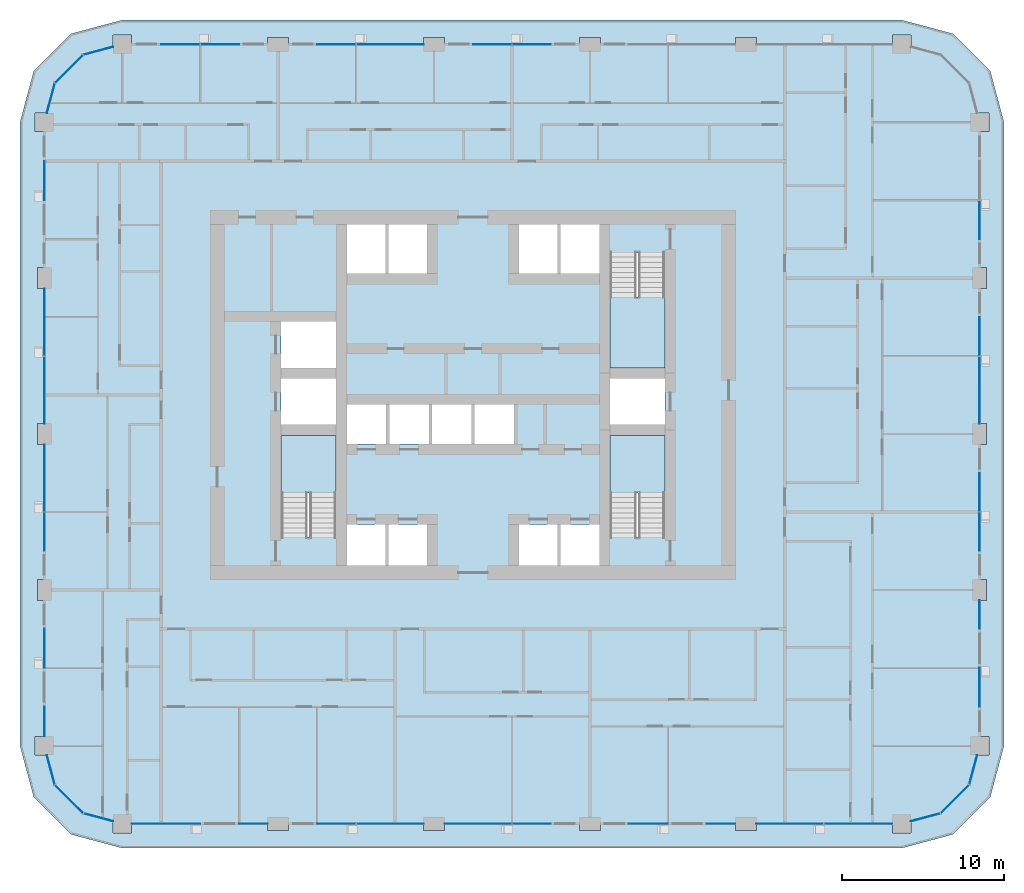
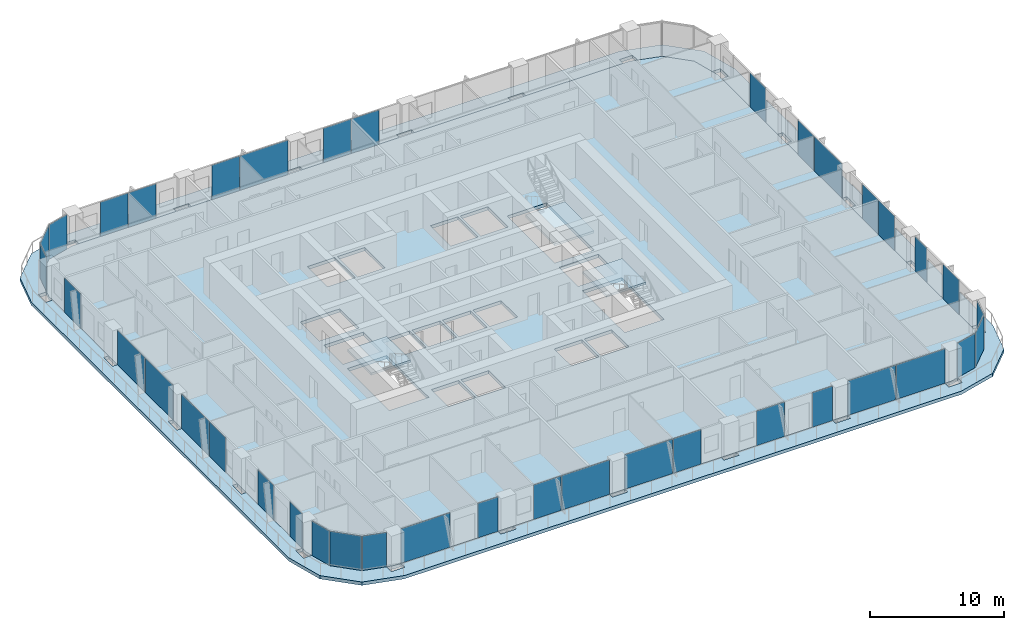
# One storey, part 7 of 22: 39 plates, 5 slabs, 22 elements without a shape of their own.
"""IFC4 building model written with IfcOpenShell, lengths in metres."""

from ifc_helpers import new_model, si_unit, direction, frame, origin, origin_2d, place, context, subcontext, project, spatial, polyline, rectangle, outline, extrude, material, layer, layer_set, type_object, element, aggregate, save


model = new_model("IFC4")

# Units and contexts
model_context = context("Model", 3, precision=1e-05, world=origin(), true_north=direction((0.0, 1.0)))
body_context = subcontext(model_context, "Body", "Model", "MODEL_VIEW")
ifc_project = project(units=[si_unit("LENGTHUNIT", "METRE"), si_unit("AREAUNIT", "SQUARE_METRE"), si_unit("VOLUMEUNIT", "CUBIC_METRE"), si_unit("PLANEANGLEUNIT", "RADIAN"), si_unit("MASSUNIT", "GRAM", prefix="KILO")], contexts=[model_context])

# Site, building, storey
site_placement = place(None, origin())
site = spatial("IfcSite", under=ifc_project, at=site_placement, CompositionType="ELEMENT")
building_placement = place(site_placement, origin())
building = spatial("IfcBuilding", under=site, at=building_placement, Name="Madar Terraces", CompositionType="ELEMENT")
storey_placement = place(building_placement, frame((0.0, 0.0, 76.800048828125)))
storey = spatial("IfcBuildingStorey", under=building, at=storey_placement, Name="L19", CompositionType="ELEMENT", Elevation=76.800048828125)

# Slabs
ifc_material_1 = material(Name="Concrete C50/60", Category="concrete")
ifc_layer_1 = layer(ifc_material_1, 0.300048828125)
ifc_layer_set_1 = layer_set([ifc_layer_1], Name="Balcony band 300")
slab_type_1 = type_object("IfcSlabType", Name="Balcony band 300", PredefinedType="FLOOR", material=ifc_layer_set_1)
slab_1_placement = place(storey_placement, frame((0.0, 0.0, -0.300048828125)))
element("IfcSlab", 1, at=slab_1_placement, inside=storey, type_object=slab_type_1, Name="Balcony band", PredefinedType="FLOOR", context=body_context, shape_type="SweptSolid", body=[
    extrude(outline(polyline([(9.60009765625, -1.5), (6.449951171875, -0.656005859375), (4.14404296875, 1.64990234375), (3.300048828125, 4.800048828125), (3.300048828125, 43.199951171875), (4.14404296875, 46.35009765625), (6.449951171875, 48.656005859375), (9.60009765625, 49.5), (57.60009765625, 49.5), (60.75, 48.656005859375), (63.055908203125, 46.35009765625), (63.89990234375, 43.199951171875), (63.89990234375, 4.800048828125), (63.055908203125, 1.64990234375), (60.75, -0.656005859375), (57.60009765625, -1.5), (9.60009765625, -1.5)]), holes=[polyline([(10.175048828125, -0.574951171875), (10.175048828125, 0.0), (18.550048828125, 0.0), (18.550048828125, -0.425048828125), (19.85009765625, -0.425048828125), (19.85009765625, 0.0), (28.14990234375, 0.0), (28.14990234375, -0.425048828125), (29.449951171875, -0.425048828125), (29.449951171875, 0.0), (37.75, 0.0), (37.75, -0.425048828125), (39.050048828125, -0.425048828125), (39.050048828125, 0.0), (47.35009765625, 0.0), (47.35009765625, -0.425048828125), (48.64990234375, -0.425048828125), (48.64990234375, 0.0), (57.02490234375, 0.0), (57.02490234375, -0.574951171875), (58.175048828125, -0.574951171875), (58.175048828125, 0.154052734375), (60.0, 0.64306640625), (61.7568359375, 2.39990234375), (62.245849609375, 4.22509765625), (62.97509765625, 4.22509765625), (62.97509765625, 5.375), (62.39990234375, 5.375), (62.39990234375, 13.75), (62.824951171875, 13.75), (62.824951171875, 15.050048828125), (62.39990234375, 15.050048828125), (62.39990234375, 23.35009765625), (62.824951171875, 23.35009765625), (62.824951171875, 24.64990234375), (62.39990234375, 24.64990234375), (62.39990234375, 32.949951171875), (62.824951171875, 32.949951171875), (62.824951171875, 34.25), (62.39990234375, 34.25), (62.39990234375, 42.625), (62.97509765625, 42.625), (62.97509765625, 43.77490234375), (62.245849609375, 43.77490234375), (61.7568359375, 45.60009765625), (60.0, 47.35693359375), (58.175048828125, 47.845947265625), (58.175048828125, 48.574951171875), (57.02490234375, 48.574951171875), (57.02490234375, 48.0), (48.64990234375, 48.0), (48.64990234375, 48.425048828125), (47.35009765625, 48.425048828125), (47.35009765625, 48.0), (39.050048828125, 48.0), (39.050048828125, 48.425048828125), (37.75, 48.425048828125), (37.75, 48.0), (29.449951171875, 48.0), (29.449951171875, 48.425048828125), (28.14990234375, 48.425048828125), (28.14990234375, 48.0), (19.85009765625, 48.0), (19.85009765625, 48.425048828125), (18.550048828125, 48.425048828125), (18.550048828125, 48.0), (10.175048828125, 48.0), (10.175048828125, 48.574951171875), (9.02490234375, 48.574951171875), (9.02490234375, 47.845947265625), (7.199951171875, 47.35693359375), (5.443115234375, 45.60009765625), (4.9541015625, 43.77490234375), (4.22509765625, 43.77490234375), (4.22509765625, 42.625), (4.800048828125, 42.625), (4.800048828125, 34.25), (4.375, 34.25), (4.375, 32.949951171875), (4.800048828125, 32.949951171875), (4.800048828125, 24.64990234375), (4.375, 24.64990234375), (4.375, 23.35009765625), (4.800048828125, 23.35009765625), (4.800048828125, 15.050048828125), (4.375, 15.050048828125), (4.375, 13.75), (4.800048828125, 13.75), (4.800048828125, 5.375), (4.22509765625, 5.375), (4.22509765625, 4.22509765625), (4.9541015625, 4.22509765625), (5.443115234375, 2.39990234375), (7.199951171875, 0.64306640625), (9.02490234375, 0.154052734375), (9.02490234375, -0.574951171875), (10.175048828125, -0.574951171875)])]), origin(), (0.0, 0.0, 1.0), 0.300048828125),
])
ifc_material_2 = material(Name="Concrete C50/60", Category="concrete")
ifc_layer_2 = layer(ifc_material_2, 0.300048828125)
ifc_layer_set_2 = layer_set([ifc_layer_2], Name="FS2 PT flat slab 300")
slab_type_2 = type_object("IfcSlabType", Name="FS2 PT flat slab 300", PredefinedType="FLOOR", material=ifc_layer_set_2)
slab_2_placement = place(storey_placement, frame((0.0, 0.0, -0.300048828125)))
element("IfcSlab", 2, at=slab_2_placement, inside=storey, type_object=slab_type_2, Name="Floor slab L19 (1)", PredefinedType="FLOOR", context=body_context, shape_type="SweptSolid", body=[
    extrude(outline(polyline([(57.60009765625, 0.0), (60.0, 0.64306640625), (61.7568359375, 2.39990234375), (62.39990234375, 4.800048828125), (62.39990234375, 43.199951171875), (61.7568359375, 45.60009765625), (60.0, 47.35693359375), (57.60009765625, 48.0), (9.60009765625, 48.0), (7.199951171875, 47.35693359375), (5.443115234375, 45.60009765625), (4.800048828125, 43.199951171875), (4.800048828125, 4.800048828125), (5.443115234375, 2.39990234375), (7.199951171875, 0.64306640625), (9.60009765625, 0.0), (57.60009765625, 0.0)]), holes=[polyline([(23.425048828125, 15.89990234375), (23.425048828125, 18.425048828125), (25.800048828125, 18.425048828125), (25.800048828125, 15.89990234375), (23.425048828125, 15.89990234375)]), polyline([(26.0, 15.89990234375), (26.0, 18.425048828125), (28.375, 18.425048828125), (28.375, 15.89990234375), (26.0, 15.89990234375)]), polyline([(19.375, 17.64990234375), (19.375, 23.925048828125), (22.77490234375, 23.925048828125), (22.77490234375, 17.64990234375), (19.375, 17.64990234375)]), polyline([(23.425048828125, 23.375), (23.425048828125, 25.824951171875), (25.85009765625, 25.824951171875), (25.85009765625, 23.375), (23.425048828125, 23.375)]), polyline([(26.050048828125, 23.375), (26.050048828125, 25.824951171875), (28.47509765625, 25.824951171875), (28.47509765625, 23.375), (26.050048828125, 23.375)]), polyline([(19.375, 24.574951171875), (19.375, 27.425048828125), (22.77490234375, 27.425048828125), (22.77490234375, 24.574951171875), (19.375, 24.574951171875)]), polyline([(19.375, 28.074951171875), (19.375, 30.925048828125), (22.77490234375, 30.925048828125), (22.77490234375, 28.074951171875), (19.375, 28.074951171875)]), polyline([(23.425048828125, 36.89990234375), (25.800048828125, 36.89990234375), (25.800048828125, 33.875), (23.425048828125, 33.875), (23.425048828125, 36.89990234375)]), polyline([(26.0, 36.89990234375), (28.375, 36.89990234375), (28.375, 33.875), (26.0, 33.875), (26.0, 36.89990234375)]), polyline([(34.02490234375, 15.89990234375), (34.02490234375, 18.425048828125), (36.39990234375, 18.425048828125), (36.39990234375, 15.89990234375), (34.02490234375, 15.89990234375)]), polyline([(36.60009765625, 15.89990234375), (36.60009765625, 18.425048828125), (38.97509765625, 18.425048828125), (38.97509765625, 15.89990234375), (36.60009765625, 15.89990234375)]), polyline([(39.625, 17.64990234375), (39.625, 23.925048828125), (43.02490234375, 23.925048828125), (43.02490234375, 17.64990234375), (39.625, 17.64990234375)]), polyline([(28.675048828125, 23.375), (28.675048828125, 25.824951171875), (31.10009765625, 25.824951171875), (31.10009765625, 23.375), (28.675048828125, 23.375)]), polyline([(31.300048828125, 23.375), (31.300048828125, 25.824951171875), (33.72509765625, 25.824951171875), (33.72509765625, 23.375), (31.300048828125, 23.375)]), polyline([(39.625, 24.574951171875), (39.625, 27.425048828125), (43.02490234375, 27.425048828125), (43.02490234375, 24.574951171875), (39.625, 24.574951171875)]), polyline([(39.625, 28.074951171875), (39.625, 35.14990234375), (43.02490234375, 35.14990234375), (43.02490234375, 28.074951171875), (39.625, 28.074951171875)]), polyline([(34.02490234375, 36.89990234375), (36.39990234375, 36.89990234375), (36.39990234375, 33.875), (34.02490234375, 33.875), (34.02490234375, 36.89990234375)]), polyline([(36.60009765625, 36.89990234375), (38.97509765625, 36.89990234375), (38.97509765625, 33.875), (36.60009765625, 33.875), (36.60009765625, 36.89990234375)])]), origin(), (0.0, 0.0, 1.0), 0.300048828125),
])

# Curtain wall, plates
ifc_material_3 = material(Name="Glass, ceramic frit dark grey, with black aluminium frame", Category="aluminium")
ifc_layer_3 = layer(ifc_material_3, 0.199951171875)
ifc_layer_set_3 = layer_set([ifc_layer_3], Name="Facade curtain wall, fritted glass")
curtain_wall_type = type_object("IfcCurtainWallType", Name="Facade curtain wall, fritted glass", PredefinedType="NOTDEFINED", material=ifc_layer_set_3)
curtain_wall_1_placement = place(storey_placement, origin())
curtain_wall_1 = element("IfcCurtainWall", 3, at=curtain_wall_1_placement, inside=storey, type_object=curtain_wall_type, Name="Outer skin curtain wall south bay 1", PredefinedType="NOTDEFINED")
ifc_material_4 = material(Name="Glass, ceramic frit dark grey", Category="glass")
ifc_layer_4 = layer(ifc_material_4, 0.028076171875)
ifc_layer_set_4 = layer_set([ifc_layer_4], Name="Facade glass panel 28")
plate_type = type_object("IfcPlateType", Name="Facade glass panel 28", PredefinedType="CURTAIN_PANEL", material=ifc_layer_set_4)
plate_1_placement = place(storey_placement, frame((12.28759765625, 0.0, 0.0), z_axis=(0.0, 0.0, 1.0), x_axis=(1.0, 0.0, 0.0)))
plate_1 = element("IfcPlate", 4, at=plate_1_placement, type_object=plate_type, Name="Panel 1", PredefinedType="CURTAIN_PANEL", context=body_context, shape_type="SweptSolid", body=[
    extrude(rectangle(XDim=4.22509765625, YDim=0.028076171875, at=origin_2d()), origin(), (0.0, 0.0, 1.0), 3.139892578125),
])
plate_2_placement = place(storey_placement, frame((17.675048828125, 0.0, 0.0), z_axis=(0.0, 0.0, 1.0), x_axis=(1.0, 0.0, 0.0)))
plate_2 = element("IfcPlate", 5, at=plate_2_placement, type_object=plate_type, Name="Panel 2", PredefinedType="CURTAIN_PANEL", context=body_context, shape_type="SweptSolid", body=[
    extrude(rectangle(XDim=1.75, YDim=0.028076171875, at=origin_2d()), origin(), (0.0, 0.0, 1.0), 3.139892578125),
])
aggregate(curtain_wall_1, [plate_1, plate_2])

curtain_wall_2_placement = place(storey_placement, origin())
curtain_wall_2 = element("IfcCurtainWall", 6, at=curtain_wall_2_placement, inside=storey, type_object=curtain_wall_type, Name="Outer skin curtain wall south bay 2", PredefinedType="NOTDEFINED")
plate_3_placement = place(storey_placement, frame((22.784912109375, 0.0, 0.0), z_axis=(0.0, 0.0, 1.0), x_axis=(1.0, 0.0, 0.0)))
plate_3 = element("IfcPlate", 7, at=plate_3_placement, type_object=plate_type, Name="Panel 1", PredefinedType="CURTAIN_PANEL", context=body_context, shape_type="SweptSolid", body=[
    extrude(rectangle(XDim=2.3701171875, YDim=0.028076171875, at=origin_2d()), origin(), (0.0, 0.0, 1.0), 3.139892578125),
])
plate_4_placement = place(storey_placement, frame((26.090087890625, 0.0, 0.0), z_axis=(0.0, 0.0, 1.0), x_axis=(1.0, 0.0, 0.0)))
plate_4 = element("IfcPlate", 8, at=plate_4_placement, type_object=plate_type, Name="Panel 2", PredefinedType="CURTAIN_PANEL", context=body_context, shape_type="SweptSolid", body=[
    extrude(rectangle(XDim=4.1201171875, YDim=0.028076171875, at=origin_2d()), origin(), (0.0, 0.0, 1.0), 3.139892578125),
])
aggregate(curtain_wall_2, [plate_3, plate_4])

curtain_wall_3_placement = place(storey_placement, origin())
curtain_wall_3 = element("IfcCurtainWall", 9, at=curtain_wall_3_placement, inside=storey, type_object=curtain_wall_type, Name="Outer skin curtain wall south bay 3", PredefinedType="NOTDEFINED")
plate_5_placement = place(storey_placement, frame((31.510009765625, 0.0, 0.0), z_axis=(0.0, 0.0, 1.0), x_axis=(1.0, 0.0, 0.0)))
plate_5 = element("IfcPlate", 10, at=plate_5_placement, type_object=plate_type, Name="Panel 1", PredefinedType="CURTAIN_PANEL", context=body_context, shape_type="SweptSolid", body=[
    extrude(rectangle(XDim=4.1201171875, YDim=0.028076171875, at=origin_2d()), origin(), (0.0, 0.0, 1.0), 3.139892578125),
])
plate_6_placement = place(storey_placement, frame((34.81494140625, 0.0, 0.0), z_axis=(0.0, 0.0, 1.0), x_axis=(1.0, 0.0, 0.0)))
plate_6 = element("IfcPlate", 11, at=plate_6_placement, type_object=plate_type, Name="Panel 2", PredefinedType="CURTAIN_PANEL", context=body_context, shape_type="SweptSolid", body=[
    extrude(rectangle(XDim=2.3701171875, YDim=0.028076171875, at=origin_2d()), origin(), (0.0, 0.0, 1.0), 3.139892578125),
])
aggregate(curtain_wall_3, [plate_5, plate_6])

curtain_wall_4_placement = place(storey_placement, origin())
curtain_wall_4 = element("IfcCurtainWall", 12, at=curtain_wall_4_placement, inside=storey, type_object=curtain_wall_type, Name="Outer skin curtain wall south bay 4", PredefinedType="NOTDEFINED")
plate_7_placement = place(storey_placement, frame((42.0, 0.0, 0.0), z_axis=(0.0, 0.0, 1.0), x_axis=(1.0, 0.0, 0.0)))
plate_7 = element("IfcPlate", 13, at=plate_7_placement, type_object=plate_type, Name="Panel 1", PredefinedType="CURTAIN_PANEL", context=body_context, shape_type="SweptSolid", body=[
    extrude(rectangle(XDim=2.39990234375, YDim=0.028076171875, at=origin_2d()), origin(), (0.0, 0.0, 1.0), 3.139892578125),
])
plate_8_placement = place(storey_placement, frame((46.47509765625, 0.0, 0.0), z_axis=(0.0, 0.0, 1.0), x_axis=(1.0, 0.0, 0.0)))
plate_8 = element("IfcPlate", 14, at=plate_8_placement, type_object=plate_type, Name="Panel 2", PredefinedType="CURTAIN_PANEL", context=body_context, shape_type="SweptSolid", body=[
    extrude(rectangle(XDim=1.75, YDim=0.028076171875, at=origin_2d()), origin(), (0.0, 0.0, 1.0), 3.139892578125),
])
aggregate(curtain_wall_4, [plate_7, plate_8])

curtain_wall_5_placement = place(storey_placement, origin())
curtain_wall_5 = element("IfcCurtainWall", 15, at=curtain_wall_5_placement, inside=storey, type_object=curtain_wall_type, Name="Outer skin curtain wall south bay 5", PredefinedType="NOTDEFINED")
plate_9_placement = place(storey_placement, frame((50.7099609375, 0.0, 0.0), z_axis=(0.0, 0.0, 1.0), x_axis=(1.0, 0.0, 0.0)))
plate_9 = element("IfcPlate", 16, at=plate_9_placement, type_object=plate_type, Name="Panel 1", PredefinedType="CURTAIN_PANEL", context=body_context, shape_type="SweptSolid", body=[
    extrude(rectangle(XDim=4.1201171875, YDim=0.028076171875, at=origin_2d()), origin(), (0.0, 0.0, 1.0), 3.139892578125),
])
plate_10_placement = place(storey_placement, frame((54.927490234375, 0.0, 0.0), z_axis=(0.0, 0.0, 1.0), x_axis=(1.0, 0.0, 0.0)))
plate_10 = element("IfcPlate", 17, at=plate_10_placement, type_object=plate_type, Name="Panel 2", PredefinedType="CURTAIN_PANEL", context=body_context, shape_type="SweptSolid", body=[
    extrude(rectangle(XDim=4.195068359375, YDim=0.028076171875, at=origin_2d()), origin(), (0.0, 0.0, 1.0), 3.139892578125),
])
aggregate(curtain_wall_5, [plate_9, plate_10])

curtain_wall_6_placement = place(storey_placement, origin())
curtain_wall_6 = element("IfcCurtainWall", 18, at=curtain_wall_6_placement, inside=storey, type_object=curtain_wall_type, Name="Outer skin curtain wall east bay 1", PredefinedType="NOTDEFINED")
plate_11_placement = place(storey_placement, frame((62.39990234375, 8.39990234375, 0.0), z_axis=(0.0, 0.0, 1.0), x_axis=(0.0, 1.0, 0.0)))
plate_11 = element("IfcPlate", 19, at=plate_11_placement, type_object=plate_type, Name="Panel 1", PredefinedType="CURTAIN_PANEL", context=body_context, shape_type="SweptSolid", body=[
    extrude(rectangle(XDim=2.39990234375, YDim=0.028076171875, at=origin_2d()), origin(), (0.0, 0.0, 1.0), 3.139892578125),
])
plate_12_placement = place(storey_placement, frame((62.39990234375, 12.875, 0.0), z_axis=(0.0, 0.0, 1.0), x_axis=(0.0, 1.0, 0.0)))
plate_12 = element("IfcPlate", 20, at=plate_12_placement, type_object=plate_type, Name="Panel 2", PredefinedType="CURTAIN_PANEL", context=body_context, shape_type="SweptSolid", body=[
    extrude(rectangle(XDim=1.75, YDim=0.028076171875, at=origin_2d()), origin(), (0.0, 0.0, 1.0), 3.139892578125),
])
aggregate(curtain_wall_6, [plate_11, plate_12])

curtain_wall_7_placement = place(storey_placement, origin())
curtain_wall_7 = element("IfcCurtainWall", 21, at=curtain_wall_7_placement, inside=storey, type_object=curtain_wall_type, Name="Outer skin curtain wall east bay 2", PredefinedType="NOTDEFINED")
plate_13_placement = place(storey_placement, frame((62.39990234375, 17.985107421875, 0.0), z_axis=(0.0, 0.0, 1.0), x_axis=(0.0, 1.0, 0.0)))
plate_13 = element("IfcPlate", 22, at=plate_13_placement, type_object=plate_type, Name="Panel 1", PredefinedType="CURTAIN_PANEL", context=body_context, shape_type="SweptSolid", body=[
    extrude(rectangle(XDim=2.3701171875, YDim=0.028076171875, at=origin_2d()), origin(), (0.0, 0.0, 1.0), 3.139892578125),
])
plate_14_placement = place(storey_placement, frame((62.39990234375, 20.4150390625, 0.0), z_axis=(0.0, 0.0, 1.0), x_axis=(0.0, 1.0, 0.0)))
plate_14 = element("IfcPlate", 23, at=plate_14_placement, type_object=plate_type, Name="Panel 2", PredefinedType="CURTAIN_PANEL", context=body_context, shape_type="SweptSolid", body=[
    extrude(rectangle(XDim=2.3701171875, YDim=0.028076171875, at=origin_2d()), origin(), (0.0, 0.0, 1.0), 3.139892578125),
])
aggregate(curtain_wall_7, [plate_13, plate_14])

curtain_wall_8_placement = place(storey_placement, origin())
curtain_wall_8 = element("IfcCurtainWall", 24, at=curtain_wall_8_placement, inside=storey, type_object=curtain_wall_type, Name="Outer skin curtain wall east bay 3", PredefinedType="NOTDEFINED")
plate_15_placement = place(storey_placement, frame((62.39990234375, 26.7099609375, 0.0), z_axis=(0.0, 0.0, 1.0), x_axis=(0.0, 1.0, 0.0)))
plate_15 = element("IfcPlate", 25, at=plate_15_placement, type_object=plate_type, Name="Panel 1", PredefinedType="CURTAIN_PANEL", context=body_context, shape_type="SweptSolid", body=[
    extrude(rectangle(XDim=4.1201171875, YDim=0.028076171875, at=origin_2d()), origin(), (0.0, 0.0, 1.0), 3.139892578125),
])
plate_16_placement = place(storey_placement, frame((62.39990234375, 30.014892578125, 0.0), z_axis=(0.0, 0.0, 1.0), x_axis=(0.0, 1.0, 0.0)))
plate_16 = element("IfcPlate", 26, at=plate_16_placement, type_object=plate_type, Name="Panel 2", PredefinedType="CURTAIN_PANEL", context=body_context, shape_type="SweptSolid", body=[
    extrude(rectangle(XDim=2.3701171875, YDim=0.028076171875, at=origin_2d()), origin(), (0.0, 0.0, 1.0), 3.139892578125),
])
aggregate(curtain_wall_8, [plate_15, plate_16])

# Curtain wall, plate
curtain_wall_9_placement = place(storey_placement, origin())
curtain_wall_9 = element("IfcCurtainWall", 27, at=curtain_wall_9_placement, inside=storey, type_object=curtain_wall_type, Name="Outer skin curtain wall east bay 4", PredefinedType="NOTDEFINED")
plate_17_placement = place(storey_placement, frame((62.39990234375, 37.18505859375, 0.0), z_axis=(0.0, 0.0, 1.0), x_axis=(0.0, 1.0, 0.0)))
plate_17 = element("IfcPlate", 28, at=plate_17_placement, type_object=plate_type, Name="Panel 1", PredefinedType="CURTAIN_PANEL", context=body_context, shape_type="SweptSolid", body=[
    extrude(rectangle(XDim=2.3701171875, YDim=0.028076171875, at=origin_2d()), origin(), (0.0, 0.0, 1.0), 3.139892578125),
])
aggregate(curtain_wall_9, [plate_17])

# Curtain wall, plates
curtain_wall_10_placement = place(storey_placement, origin())
curtain_wall_10 = element("IfcCurtainWall", 29, at=curtain_wall_10_placement, inside=storey, type_object=curtain_wall_type, Name="Outer skin curtain wall north bay 3", PredefinedType="NOTDEFINED")
plate_18_placement = place(storey_placement, frame((34.81494140625, 48.0, 0.0), z_axis=(0.0, 0.0, 1.0), x_axis=(-1.0, 0.0, 0.0)))
plate_18 = element("IfcPlate", 30, at=plate_18_placement, type_object=plate_type, Name="Panel 1", PredefinedType="CURTAIN_PANEL", context=body_context, shape_type="SweptSolid", body=[
    extrude(rectangle(XDim=2.3701171875, YDim=0.028076171875, at=origin_2d()), origin(), (0.0, 0.0, 1.0), 3.139892578125),
])
plate_19_placement = place(storey_placement, frame((32.385009765625, 48.0, 0.0), z_axis=(0.0, 0.0, 1.0), x_axis=(-1.0, 0.0, 0.0)))
plate_19 = element("IfcPlate", 31, at=plate_19_placement, type_object=plate_type, Name="Panel 2", PredefinedType="CURTAIN_PANEL", context=body_context, shape_type="SweptSolid", body=[
    extrude(rectangle(XDim=2.3701171875, YDim=0.028076171875, at=origin_2d()), origin(), (0.0, 0.0, 1.0), 3.139892578125),
])
aggregate(curtain_wall_10, [plate_18, plate_19])

curtain_wall_11_placement = place(storey_placement, origin())
curtain_wall_11 = element("IfcCurtainWall", 32, at=curtain_wall_11_placement, inside=storey, type_object=curtain_wall_type, Name="Outer skin curtain wall north bay 4", PredefinedType="NOTDEFINED")
plate_20_placement = place(storey_placement, frame((26.090087890625, 48.0, 0.0), z_axis=(0.0, 0.0, 1.0), x_axis=(-1.0, 0.0, 0.0)))
plate_20 = element("IfcPlate", 33, at=plate_20_placement, type_object=plate_type, Name="Panel 1", PredefinedType="CURTAIN_PANEL", context=body_context, shape_type="SweptSolid", body=[
    extrude(rectangle(XDim=4.1201171875, YDim=0.028076171875, at=origin_2d()), origin(), (0.0, 0.0, 1.0), 3.139892578125),
])
plate_21_placement = place(storey_placement, frame((22.784912109375, 48.0, 0.0), z_axis=(0.0, 0.0, 1.0), x_axis=(-1.0, 0.0, 0.0)))
plate_21 = element("IfcPlate", 34, at=plate_21_placement, type_object=plate_type, Name="Panel 2", PredefinedType="CURTAIN_PANEL", context=body_context, shape_type="SweptSolid", body=[
    extrude(rectangle(XDim=2.3701171875, YDim=0.028076171875, at=origin_2d()), origin(), (0.0, 0.0, 1.0), 3.139892578125),
])
aggregate(curtain_wall_11, [plate_20, plate_21])

curtain_wall_12_placement = place(storey_placement, origin())
curtain_wall_12 = element("IfcCurtainWall", 35, at=curtain_wall_12_placement, inside=storey, type_object=curtain_wall_type, Name="Outer skin curtain wall north bay 5", PredefinedType="NOTDEFINED")
plate_22_placement = place(storey_placement, frame((15.614990234375, 48.0, 0.0), z_axis=(0.0, 0.0, 1.0), x_axis=(-1.0, 0.0, 0.0)))
plate_22 = element("IfcPlate", 36, at=plate_22_placement, type_object=plate_type, Name="Panel 1", PredefinedType="CURTAIN_PANEL", context=body_context, shape_type="SweptSolid", body=[
    extrude(rectangle(XDim=2.3701171875, YDim=0.028076171875, at=origin_2d()), origin(), (0.0, 0.0, 1.0), 3.139892578125),
])
plate_23_placement = place(storey_placement, frame((13.18505859375, 48.0, 0.0), z_axis=(0.0, 0.0, 1.0), x_axis=(-1.0, 0.0, 0.0)))
plate_23 = element("IfcPlate", 37, at=plate_23_placement, type_object=plate_type, Name="Panel 2", PredefinedType="CURTAIN_PANEL", context=body_context, shape_type="SweptSolid", body=[
    extrude(rectangle(XDim=2.3701171875, YDim=0.028076171875, at=origin_2d()), origin(), (0.0, 0.0, 1.0), 3.139892578125),
])
aggregate(curtain_wall_12, [plate_22, plate_23])

# Curtain wall, plate
curtain_wall_13_placement = place(storey_placement, origin())
curtain_wall_13 = element("IfcCurtainWall", 38, at=curtain_wall_13_placement, inside=storey, type_object=curtain_wall_type, Name="Outer skin curtain wall west bay 1", PredefinedType="NOTDEFINED")
plate_24_placement = place(storey_placement, frame((4.800048828125, 39.60009765625, 0.0), z_axis=(0.0, 0.0, 1.0), x_axis=(0.0, -1.0, 0.0)))
plate_24 = element("IfcPlate", 39, at=plate_24_placement, type_object=plate_type, Name="Panel 1", PredefinedType="CURTAIN_PANEL", context=body_context, shape_type="SweptSolid", body=[
    extrude(rectangle(XDim=2.39990234375, YDim=0.028076171875, at=origin_2d()), origin(), (0.0, 0.0, 1.0), 3.139892578125),
])
aggregate(curtain_wall_13, [plate_24])

# Curtain wall, plates
curtain_wall_14_placement = place(storey_placement, origin())
curtain_wall_14 = element("IfcCurtainWall", 40, at=curtain_wall_14_placement, inside=storey, type_object=curtain_wall_type, Name="Outer skin curtain wall west bay 2", PredefinedType="NOTDEFINED")
plate_25_placement = place(storey_placement, frame((4.800048828125, 30.889892578125, 0.0), z_axis=(0.0, 0.0, 1.0), x_axis=(0.0, -1.0, 0.0)))
plate_25 = element("IfcPlate", 41, at=plate_25_placement, type_object=plate_type, Name="Panel 1", PredefinedType="CURTAIN_PANEL", context=body_context, shape_type="SweptSolid", body=[
    extrude(rectangle(XDim=4.1201171875, YDim=0.028076171875, at=origin_2d()), origin(), (0.0, 0.0, 1.0), 3.139892578125),
])
plate_26_placement = place(storey_placement, frame((4.800048828125, 26.7099609375, 0.0), z_axis=(0.0, 0.0, 1.0), x_axis=(0.0, -1.0, 0.0)))
plate_26 = element("IfcPlate", 42, at=plate_26_placement, type_object=plate_type, Name="Panel 2", PredefinedType="CURTAIN_PANEL", context=body_context, shape_type="SweptSolid", body=[
    extrude(rectangle(XDim=4.1201171875, YDim=0.028076171875, at=origin_2d()), origin(), (0.0, 0.0, 1.0), 3.139892578125),
])
aggregate(curtain_wall_14, [plate_25, plate_26])

curtain_wall_15_placement = place(storey_placement, origin())
curtain_wall_15 = element("IfcCurtainWall", 43, at=curtain_wall_15_placement, inside=storey, type_object=curtain_wall_type, Name="Outer skin curtain wall west bay 3", PredefinedType="NOTDEFINED")
plate_27_placement = place(storey_placement, frame((4.800048828125, 21.2900390625, 0.0), z_axis=(0.0, 0.0, 1.0), x_axis=(0.0, -1.0, 0.0)))
plate_27 = element("IfcPlate", 44, at=plate_27_placement, type_object=plate_type, Name="Panel 1", PredefinedType="CURTAIN_PANEL", context=body_context, shape_type="SweptSolid", body=[
    extrude(rectangle(XDim=4.1201171875, YDim=0.028076171875, at=origin_2d()), origin(), (0.0, 0.0, 1.0), 3.139892578125),
])
plate_28_placement = place(storey_placement, frame((4.800048828125, 17.985107421875, 0.0), z_axis=(0.0, 0.0, 1.0), x_axis=(0.0, -1.0, 0.0)))
plate_28 = element("IfcPlate", 45, at=plate_28_placement, type_object=plate_type, Name="Panel 2", PredefinedType="CURTAIN_PANEL", context=body_context, shape_type="SweptSolid", body=[
    extrude(rectangle(XDim=2.3701171875, YDim=0.028076171875, at=origin_2d()), origin(), (0.0, 0.0, 1.0), 3.139892578125),
])
aggregate(curtain_wall_15, [plate_27, plate_28])

curtain_wall_16_placement = place(storey_placement, origin())
curtain_wall_16 = element("IfcCurtainWall", 46, at=curtain_wall_16_placement, inside=storey, type_object=curtain_wall_type, Name="Outer skin curtain wall west bay 4", PredefinedType="NOTDEFINED")
plate_29_placement = place(storey_placement, frame((4.800048828125, 10.800048828125, 0.0), z_axis=(0.0, 0.0, 1.0), x_axis=(0.0, -1.0, 0.0)))
plate_29 = element("IfcPlate", 47, at=plate_29_placement, type_object=plate_type, Name="Panel 1", PredefinedType="CURTAIN_PANEL", context=body_context, shape_type="SweptSolid", body=[
    extrude(rectangle(XDim=2.39990234375, YDim=0.028076171875, at=origin_2d()), origin(), (0.0, 0.0, 1.0), 3.139892578125),
])
plate_30_placement = place(storey_placement, frame((4.800048828125, 6.28759765625, 0.0), z_axis=(0.0, 0.0, 1.0), x_axis=(0.0, -1.0, 0.0)))
plate_30 = element("IfcPlate", 48, at=plate_30_placement, type_object=plate_type, Name="Panel 2", PredefinedType="CURTAIN_PANEL", context=body_context, shape_type="SweptSolid", body=[
    extrude(rectangle(XDim=1.824951171875, YDim=0.028076171875, at=origin_2d()), origin(), (0.0, 0.0, 1.0), 3.139892578125),
])
aggregate(curtain_wall_16, [plate_29, plate_30])

curtain_wall_17_placement = place(storey_placement, origin())
curtain_wall_17 = element("IfcCurtainWall", 49, at=curtain_wall_17_placement, inside=storey, type_object=curtain_wall_type, Name="Outer skin curtain wall south-east corner", PredefinedType="NOTDEFINED")
plate_31_placement = place(storey_placement, frame((59.072998046875, 0.394775390625, 0.0), z_axis=(0.0, 0.0, 1.0), x_axis=(0.965925832509, 0.258819021888, 0.0)))
plate_31 = element("IfcPlate", 50, at=plate_31_placement, type_object=plate_type, Name="Panel 1", PredefinedType="CURTAIN_PANEL", context=body_context, shape_type="SweptSolid", body=[
    extrude(rectangle(XDim=1.859375, YDim=0.028076171875, at=origin_2d()), origin(), (0.0, 0.0, 1.0), 3.139892578125),
])
plate_32_placement = place(storey_placement, frame((60.87841796875, 1.521484375, 0.0), z_axis=(0.0, 0.0, 1.0), x_axis=(0.707106781187, 0.707106781187, 0.0)))
plate_32 = element("IfcPlate", 51, at=plate_32_placement, type_object=plate_type, Name="Panel 2", PredefinedType="CURTAIN_PANEL", context=body_context, shape_type="SweptSolid", body=[
    extrude(rectangle(XDim=2.424560546875, YDim=0.028076171875, at=origin_2d()), origin(), (0.0, 0.0, 1.0), 3.139892578125),
])
plate_33_placement = place(storey_placement, frame((62.00537109375, 3.326904296875, 0.0), z_axis=(0.0, 0.0, 1.0), x_axis=(0.258819021888, 0.965925832509, 0.0)))
plate_33 = element("IfcPlate", 52, at=plate_33_placement, type_object=plate_type, Name="Panel 3", PredefinedType="CURTAIN_PANEL", context=body_context, shape_type="SweptSolid", body=[
    extrude(rectangle(XDim=1.859375, YDim=0.028076171875, at=origin_2d()), origin(), (0.0, 0.0, 1.0), 3.139892578125),
])
aggregate(curtain_wall_17, [plate_31, plate_32, plate_33])

curtain_wall_18_placement = place(storey_placement, origin())
curtain_wall_18 = element("IfcCurtainWall", 53, at=curtain_wall_18_placement, inside=storey, type_object=curtain_wall_type, Name="Outer skin curtain wall north-west corner", PredefinedType="NOTDEFINED")
plate_34_placement = place(storey_placement, frame((8.126953125, 47.605224609375, 0.0), z_axis=(0.0, 0.0, 1.0), x_axis=(-0.965925832509, -0.258819021888, 0.0)))
plate_34 = element("IfcPlate", 54, at=plate_34_placement, type_object=plate_type, Name="Panel 1", PredefinedType="CURTAIN_PANEL", context=body_context, shape_type="SweptSolid", body=[
    extrude(rectangle(XDim=1.859375, YDim=0.028076171875, at=origin_2d()), origin(), (0.0, 0.0, 1.0), 3.139892578125),
])
plate_35_placement = place(storey_placement, frame((6.321533203125, 46.478515625, 0.0), z_axis=(0.0, 0.0, 1.0), x_axis=(-0.707106781187, -0.707106781187, 0.0)))
plate_35 = element("IfcPlate", 55, at=plate_35_placement, type_object=plate_type, Name="Panel 2", PredefinedType="CURTAIN_PANEL", context=body_context, shape_type="SweptSolid", body=[
    extrude(rectangle(XDim=2.424560546875, YDim=0.028076171875, at=origin_2d()), origin(), (0.0, 0.0, 1.0), 3.139892578125),
])
plate_36_placement = place(storey_placement, frame((5.194580078125, 44.673095703125, 0.0), z_axis=(0.0, 0.0, 1.0), x_axis=(-0.258819021888, -0.965925832509, 0.0)))
plate_36 = element("IfcPlate", 56, at=plate_36_placement, type_object=plate_type, Name="Panel 3", PredefinedType="CURTAIN_PANEL", context=body_context, shape_type="SweptSolid", body=[
    extrude(rectangle(XDim=1.859375, YDim=0.028076171875, at=origin_2d()), origin(), (0.0, 0.0, 1.0), 3.139892578125),
])
aggregate(curtain_wall_18, [plate_34, plate_35, plate_36])

curtain_wall_19_placement = place(storey_placement, origin())
curtain_wall_19 = element("IfcCurtainWall", 57, at=curtain_wall_19_placement, inside=storey, type_object=curtain_wall_type, Name="Outer skin curtain wall south-west corner", PredefinedType="NOTDEFINED")
plate_37_placement = place(storey_placement, frame((5.194580078125, 3.326904296875, 0.0), z_axis=(0.0, 0.0, 1.0), x_axis=(0.258819021888, -0.965925832509, 0.0)))
plate_37 = element("IfcPlate", 58, at=plate_37_placement, type_object=plate_type, Name="Panel 1", PredefinedType="CURTAIN_PANEL", context=body_context, shape_type="SweptSolid", body=[
    extrude(rectangle(XDim=1.859375, YDim=0.028076171875, at=origin_2d()), origin(), (0.0, 0.0, 1.0), 3.139892578125),
])
plate_38_placement = place(storey_placement, frame((6.321533203125, 1.521484375, 0.0), z_axis=(0.0, 0.0, 1.0), x_axis=(0.707106781187, -0.707106781187, 0.0)))
plate_38 = element("IfcPlate", 59, at=plate_38_placement, type_object=plate_type, Name="Panel 2", PredefinedType="CURTAIN_PANEL", context=body_context, shape_type="SweptSolid", body=[
    extrude(rectangle(XDim=2.424560546875, YDim=0.028076171875, at=origin_2d()), origin(), (0.0, 0.0, 1.0), 3.139892578125),
])
plate_39_placement = place(storey_placement, frame((8.126953125, 0.394775390625, 0.0), z_axis=(0.0, 0.0, 1.0), x_axis=(0.965925832509, -0.258819021888, 0.0)))
plate_39 = element("IfcPlate", 60, at=plate_39_placement, type_object=plate_type, Name="Panel 3", PredefinedType="CURTAIN_PANEL", context=body_context, shape_type="SweptSolid", body=[
    extrude(rectangle(XDim=1.859375, YDim=0.028076171875, at=origin_2d()), origin(), (0.0, 0.0, 1.0), 3.139892578125),
])
aggregate(curtain_wall_19, [plate_37, plate_38, plate_39])

# Stair, slab
ifc_material_5 = material(Name="Concrete C50/60", Category="concrete")
stair_type_1 = type_object("IfcStairType", Name="Stair ST1 protected exit", PredefinedType="HALF_TURN_STAIR", material=ifc_material_5)
stair_1_placement = place(storey_placement, origin())
stair_1 = element("IfcStair", 61, at=stair_1_placement, inside=storey, type_object=stair_type_1, Name="L19 Protected Exit Stair ST1", PredefinedType="HALF_TURN_STAIR")
ifc_material_6 = material(Name="Concrete C50/60", Category="concrete")
ifc_layer_5 = layer(ifc_material_6, 0.199951171875)
ifc_layer_set_5 = layer_set([ifc_layer_5], Name="Stair landing 200, top +1.75")
slab_type_3 = type_object("IfcSlabType", Name="Stair landing 200, top +1.75", PredefinedType="LANDING", material=ifc_layer_set_5)
slab_3_placement = place(storey_placement, frame((0.0, 0.0, 1.550048828125)))
slab_3 = element("IfcSlab", 62, at=slab_3_placement, type_object=slab_type_3, Name="ST1 landing 1", PredefinedType="LANDING", context=body_context, shape_type="SweptSolid", body=[
    extrude(outline(polyline([(19.375, 20.360107421875), (22.77490234375, 20.360107421875), (22.77490234375, 23.925048828125), (19.375, 23.925048828125), (19.375, 20.360107421875)])), origin(), (0.0, 0.0, 1.0), 0.199951171875),
])
aggregate(stair_1, [slab_3])

ifc_material_7 = material(Name="Concrete C50/60", Category="concrete")
stair_type_2 = type_object("IfcStairType", Name="Stair ST2 protected exit", PredefinedType="HALF_TURN_STAIR", material=ifc_material_7)
stair_2_placement = place(storey_placement, origin())
stair_2 = element("IfcStair", 63, at=stair_2_placement, inside=storey, type_object=stair_type_2, Name="L19 Protected Exit Stair ST2", PredefinedType="HALF_TURN_STAIR")
slab_4_placement = place(storey_placement, frame((0.0, 0.0, 1.550048828125)))
slab_4 = element("IfcSlab", 64, at=slab_4_placement, type_object=slab_type_3, Name="ST2 landing 1", PredefinedType="LANDING", context=body_context, shape_type="SweptSolid", body=[
    extrude(outline(polyline([(39.625, 28.074951171875), (43.02490234375, 28.074951171875), (43.02490234375, 32.43994140625), (39.625, 32.43994140625), (39.625, 28.074951171875)])), origin(), (0.0, 0.0, 1.0), 0.199951171875),
])
aggregate(stair_2, [slab_4])

ifc_material_8 = material(Name="Concrete C50/60", Category="concrete")
stair_type_3 = type_object("IfcStairType", Name="Stair ST3 protected exit", PredefinedType="HALF_TURN_STAIR", material=ifc_material_8)
stair_3_placement = place(storey_placement, origin())
stair_3 = element("IfcStair", 65, at=stair_3_placement, inside=storey, type_object=stair_type_3, Name="L19 Protected Exit Stair ST3", PredefinedType="HALF_TURN_STAIR")
slab_5_placement = place(storey_placement, frame((0.0, 0.0, 1.550048828125)))
slab_5 = element("IfcSlab", 66, at=slab_5_placement, type_object=slab_type_3, Name="ST3 landing 1", PredefinedType="LANDING", context=body_context, shape_type="SweptSolid", body=[
    extrude(outline(polyline([(39.625, 20.360107421875), (43.02490234375, 20.360107421875), (43.02490234375, 23.925048828125), (39.625, 23.925048828125), (39.625, 20.360107421875)])), origin(), (0.0, 0.0, 1.0), 0.199951171875),
])
aggregate(stair_3, [slab_5])

save(model, "model.ifc")
